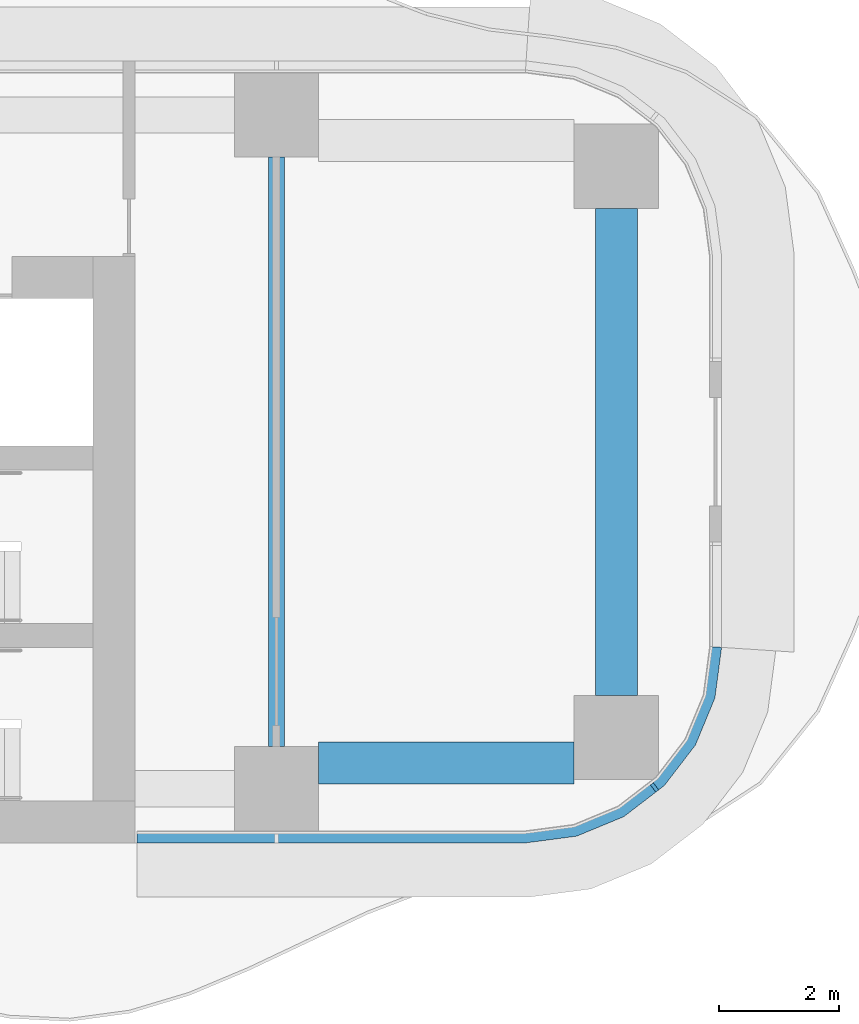
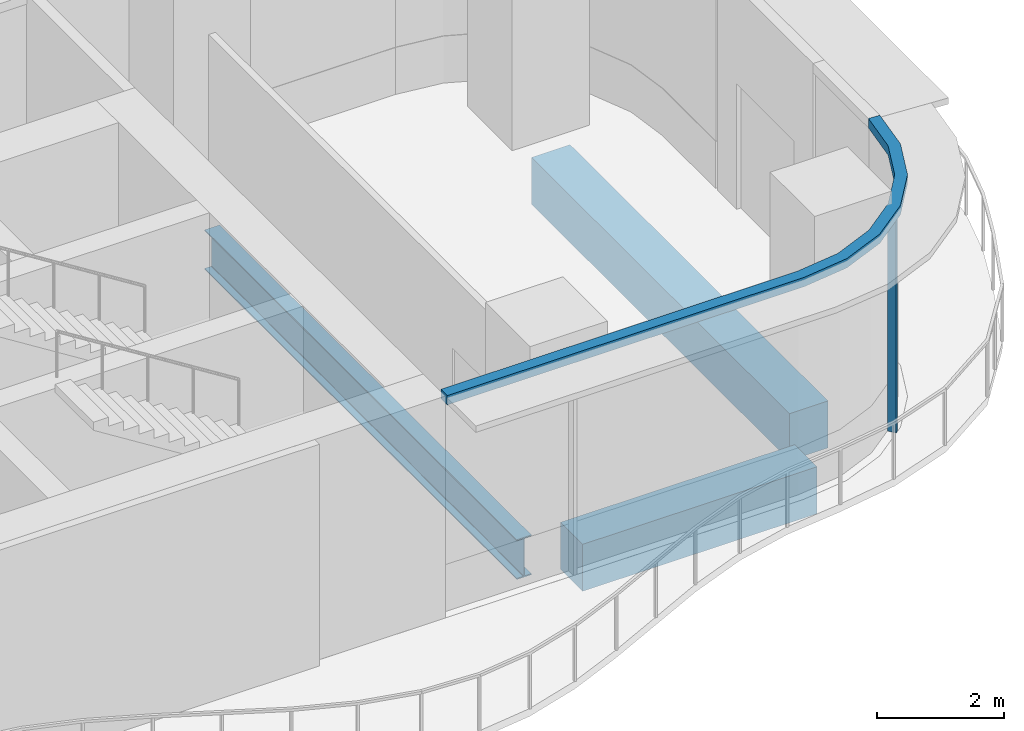
# One storey, part 7 of 22: 3 beams, 2 members, 1 element without a shape of its own.
"""IFC4 building model written with IfcOpenShell, lengths in metres."""

from ifc_helpers import new_model, si_unit, direction, frame, origin, origin_2d, place, context, subcontext, project, spatial, polyline, rectangle, i_section, outline, extrude, source, transform, mapped, material, layer, layer_set, material_profile, profile_set, type_object, element, aggregate, save


model = new_model("IFC4")

# Units and contexts
model_context = context("Model", 3, precision=1e-05, world=origin(), true_north=direction((0.0, 1.0)))
body_context = subcontext(model_context, "Body", "Model", "MODEL_VIEW")
ifc_project = project(units=[si_unit("LENGTHUNIT", "METRE"), si_unit("AREAUNIT", "SQUARE_METRE"), si_unit("VOLUMEUNIT", "CUBIC_METRE"), si_unit("PLANEANGLEUNIT", "RADIAN"), si_unit("MASSUNIT", "GRAM", prefix="KILO")], contexts=[model_context])

# Site, building, storey
site_placement = place(None, origin())
site = spatial("IfcSite", under=ifc_project, at=site_placement, CompositionType="ELEMENT")
building_placement = place(site_placement, origin())
building = spatial("IfcBuilding", under=site, at=building_placement, Name="Trellis Farm Tower", CompositionType="ELEMENT")
storey_placement = place(building_placement, frame((0.0, 0.0, 79.0)))
storey = spatial("IfcBuildingStorey", under=building, at=storey_placement, Name="L16", CompositionType="ELEMENT", Elevation=79.0)

# Beams
ifc_material_1 = material(Name="Steel S355", Category="steel")
ifc_material_profile_1 = material_profile(ifc_material_1, i_section(OverallWidth=0.2666015625, OverallDepth=0.76220703125, WebThickness=0.014404296875, FlangeThickness=0.021484375, FilletRadius=0.0166015625, at=origin_2d()), Name="UB 762x267x173")
ifc_profile_set_1 = profile_set([ifc_material_profile_1], Name="Steel S355")
beam_type_1 = type_object("IfcBeamType", Name="UB 762x267x173", PredefinedType="BEAM", material=ifc_profile_set_1)
shared_shape_1 = source(origin(), body_context, "Body", "SweptSolid", [
    extrude(i_section(OverallWidth=0.2666015625, OverallDepth=0.76220703125, WebThickness=0.014404296875, FlangeThickness=0.021484375, FilletRadius=0.0166015625, at=origin_2d()), origin(), (0.0, 0.0, 1.0), 9.7998046875),
])
beam_1_placement = place(storey_placement, frame((25.10009765625, -4.89990234375, -0.631103515625), z_axis=(0.0, 1.0, 0.0), x_axis=(-1.0, 0.0, 0.0)))
element("IfcBeam", 1, at=beam_1_placement, inside=storey, type_object=beam_type_1, Name="Girder", PredefinedType="BEAM", context=body_context, shape_type="MappedRepresentation", body=[
    mapped(shared_shape_1, transform((0.0, 0.0, 0.0))),
])
ifc_material_2 = material(Name="Concrete C60/75", Category="concrete")
ifc_material_profile_2 = material_profile(ifc_material_2, rectangle(XDim=0.699951171875, YDim=0.89990234375, at=origin_2d()), Name="RC spandrel beam 700x900 C60/75")
ifc_profile_set_2 = profile_set([ifc_material_profile_2], Name="Concrete C60/75")
beam_type_2 = type_object("IfcBeamType", Name="RC spandrel beam 700x900 C60/75", PredefinedType="SPANDREL", material=ifc_profile_set_2)
shared_shape_2 = source(origin(), body_context, "Body", "SweptSolid", [
    extrude(rectangle(XDim=0.699951171875, YDim=0.89990234375, at=origin_2d()), origin(), (0.0, 0.0, 1.0), 4.25),
])
beam_2_placement = place(storey_placement, frame((25.800048828125, -5.175048828125, -0.699951171875), z_axis=(1.0, 0.0, 0.0), x_axis=(0.0, 1.0, 0.0)))
element("IfcBeam", 2, at=beam_2_placement, inside=storey, type_object=beam_type_2, Name="Girder", PredefinedType="SPANDREL", context=body_context, shape_type="MappedRepresentation", body=[
    mapped(shared_shape_2, transform((0.0, 0.0, 0.0))),
])
shared_shape_3 = source(origin(), body_context, "Body", "SweptSolid", [
    extrude(rectangle(XDim=0.699951171875, YDim=0.89990234375, at=origin_2d()), origin(), (0.0, 0.0, 1.0), 8.10009765625),
])
beam_3_placement = place(storey_placement, frame((30.75, -4.050048828125, -0.699951171875), z_axis=(0.0, 1.0, 0.0), x_axis=(-1.0, 0.0, 0.0)))
element("IfcBeam", 3, at=beam_3_placement, inside=storey, type_object=beam_type_2, Name="Girder", PredefinedType="SPANDREL", context=body_context, shape_type="MappedRepresentation", body=[
    mapped(shared_shape_3, transform((0.0, 0.0, 0.0))),
])

# Curtain wall, members
ifc_material_3 = material(Name="Aluminium and glass curtain wall", Category="aluminium")
ifc_layer_1 = layer(ifc_material_3, 0.18994140625)
ifc_layer_set_1 = layer_set([ifc_layer_1], Name="RIBBON CURTAIN WALL CW1")
curtain_wall_type = type_object("IfcCurtainWallType", Name="RIBBON CURTAIN WALL CW1", PredefinedType="NOTDEFINED", material=ifc_layer_set_1)
curtain_wall_placement = place(storey_placement, origin())
curtain_wall = element("IfcCurtainWall", 4, at=curtain_wall_placement, inside=storey, type_object=curtain_wall_type, Name="CW1 005", PredefinedType="NOTDEFINED")
ifc_material_4 = material(Name="Aluminium extrusion 6063-T6", Category="aluminium")
ifc_material_profile_3 = material_profile(ifc_material_4, rectangle(XDim=0.06005859375, YDim=0.14990234375, at=origin_2d()), Name="MULLION 60x150")
ifc_profile_set_3 = profile_set([ifc_material_profile_3], Name="Aluminium extrusion 6063-T6")
member_type_1 = type_object("IfcMemberType", Name="CW1 MULLION 60x150", PredefinedType="MULLION", material=ifc_profile_set_3)
shared_shape_4 = source(origin(), body_context, "Body", "SweptSolid", [
    extrude(rectangle(XDim=0.06005859375, YDim=0.14990234375, at=origin_2d()), origin(), (0.0, 0.0, 1.0), 4.070068359375),
])
member_1_placement = place(storey_placement, frame((31.385498046875, -5.578369140625, 0.0), z_axis=(0.0, 0.0, 1.0), x_axis=(0.793353340291, 0.608761429009, 0.0)))
member_1 = element("IfcMember", 5, at=member_1_placement, type_object=member_type_1, Name="MU1 005-02", PredefinedType="MULLION", context=body_context, shape_type="MappedRepresentation", body=[
    mapped(shared_shape_4, transform((0.0, 0.0, 0.0))),
])
ifc_layer_2 = layer(ifc_material_4, 0.199951171875)
ifc_layer_set_2 = layer_set([ifc_layer_2], Name="Aluminium extrusion 6063-T6")
member_type_2 = type_object("IfcMemberType", Name="CW1 TRANSOM 200x180", PredefinedType="USERDEFINED", material=ifc_layer_set_2)
shared_shape_5 = source(origin(), body_context, "Body", "SweptSolid", [
    extrude(outline(polyline([(22.780029296875, -6.5), (29.25, -6.5), (30.091064453125, -6.38916015625), (30.875, -6.064697265625), (31.548095703125, -5.548095703125), (32.064697265625, -4.875), (32.38916015625, -4.091064453125), (32.5, -3.25), (32.300048828125, -3.23681640625), (32.1943359375, -4.0390625), (31.889892578125, -4.774169921875), (31.405517578125, -5.405517578125), (30.774169921875, -5.889892578125), (30.0390625, -6.1943359375), (29.23681640625, -6.300048828125), (22.780029296875, -6.300048828125), (22.780029296875, -6.5)])), origin(), (0.0, 0.0, 1.0), 0.179931640625),
])
member_2_placement = place(storey_placement, frame((0.0, 0.0, 4.070068359375)))
member_2 = element("IfcMember", 6, at=member_2_placement, type_object=member_type_2, Name="TR1 005", ObjectType="TRANSOM", PredefinedType="USERDEFINED", context=body_context, shape_type="MappedRepresentation", body=[
    mapped(shared_shape_5, transform((0.0, 0.0, 0.0))),
])
aggregate(curtain_wall, [member_1, member_2])

save(model, "model.ifc")
